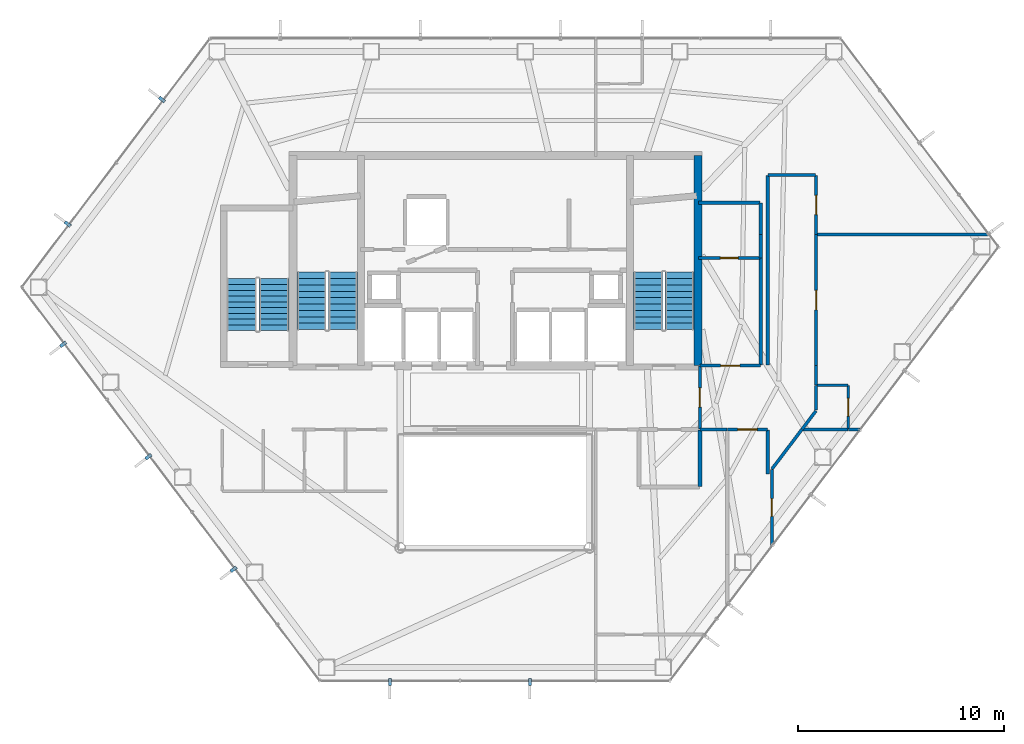
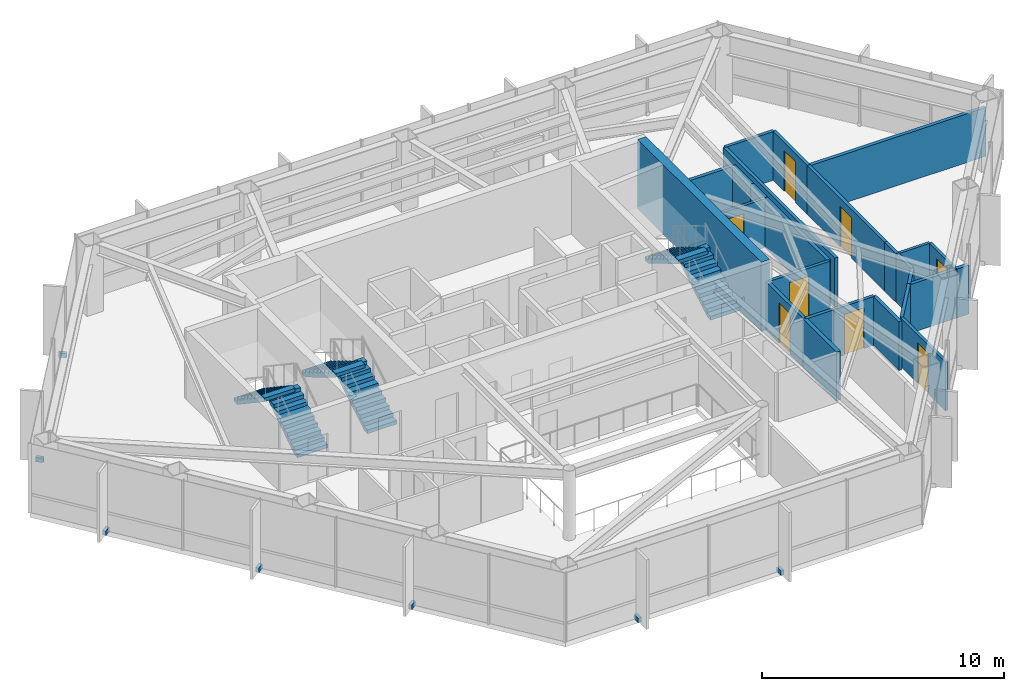
# One storey, part 27 of 29: 26 walls, 8 doors, 7 discrete accessories, 6 stair flights, 8 openings, 3 elements without a shape of their own.
"""IFC4 building model written with IfcOpenShell, lengths in metres."""

from ifc_helpers import new_model, si_unit, direction, frame, frame_2d, origin, origin_2d, place, context, subcontext, project, spatial, polyline, rectangle, outline, extrude, material, layer, layer_set, type_object, element, fill, aggregate, save


model = new_model("IFC4")

# Units and contexts
model_context = context("Model", 3, precision=1e-05, world=origin(), true_north=direction((0.0, 1.0)))
body_context = subcontext(model_context, "Body", "Model", "MODEL_VIEW")
ifc_project = project(units=[si_unit("LENGTHUNIT", "METRE"), si_unit("AREAUNIT", "SQUARE_METRE"), si_unit("VOLUMEUNIT", "CUBIC_METRE"), si_unit("PLANEANGLEUNIT", "RADIAN"), si_unit("MASSUNIT", "GRAM", prefix="KILO")], contexts=[model_context])

# Site, building, storey
site_placement = place(None, origin())
site = spatial("IfcSite", under=ifc_project, at=site_placement, CompositionType="ELEMENT")
building_placement = place(site_placement, origin())
building = spatial("IfcBuilding", under=site, at=building_placement, Name="Zarrinselat Tower", CompositionType="ELEMENT")
storey_placement = place(building_placement, frame((0.0, 0.0, 134.639892578125)))
storey = spatial("IfcBuildingStorey", under=building, at=storey_placement, Name="L32", CompositionType="ELEMENT", Elevation=134.639892578125)

# Walls
ifc_material_1 = material(Name="Fire-Rated Gypsum Board Partition", Category="gypsum")
ifc_layer_1 = layer(ifc_material_1, 0.1650390625)
ifc_layer_set_1 = layer_set([ifc_layer_1], Name="Fire-Rated Gypsum Board Partition")
wall_type_1 = type_object("IfcWallType", Name="WAL-PART-DEMISE", PredefinedType="PARTITIONING", material=ifc_layer_set_1)
wall_1_placement = place(storey_placement, frame((55.562255859375, 30.14990234375, 0.0), z_axis=(0.0, 0.0, 1.0), x_axis=(1.0, 0.0, 0.0)))
element("IfcWall", 1, at=wall_1_placement, inside=storey, type_object=wall_type_1, Name="L32 Partition Wall 51", PredefinedType="PARTITIONING", context=body_context, shape_type="SweptSolid", body=[
    extrude(rectangle(XDim=0.565185546875, YDim=0.1650390625, at=frame_2d((0.28271484375, 0.0))), origin(), (0.0, 0.0, 1.0), 2.45703125),
])
wall_2_placement = place(storey_placement, frame((53.3271484375, 30.14990234375, 0.0), z_axis=(0.0, 0.0, 1.0), x_axis=(1.0, 0.0, 0.0)))
element("IfcWall", 2, at=wall_2_placement, inside=storey, type_object=wall_type_1, Name="L32 Partition Wall 52", PredefinedType="PARTITIONING", context=body_context, shape_type="SweptSolid", body=[
    extrude(rectangle(XDim=2.22509765625, YDim=0.1650390625, at=frame_2d((1.112548828125, 0.0))), origin(), (0.0, 0.0, 1.0), 2.45703125),
])
wall_3_placement = place(storey_placement, frame((54.02001953125, 39.6201171875, 0.0), z_axis=(0.0, 0.0, 1.0), x_axis=(1.0, 0.0, 0.0)))
element("IfcWall", 3, at=wall_3_placement, inside=storey, type_object=wall_type_1, Name="L32 Partition Wall 55", PredefinedType="PARTITIONING", context=body_context, shape_type="SweptSolid", body=[
    extrude(rectangle(XDim=8.37255859375, YDim=0.1650390625, at=frame_2d((4.186279296875, 0.0))), origin(), (0.0, 0.0, 1.0), 2.45703125),
])
wall_4_placement = place(storey_placement, frame((51.300048828125, 33.27001953125, 0.0), z_axis=(0.0, 0.0, 1.0), x_axis=(0.0, 1.0, 0.0)))
element("IfcWall", 4, at=wall_4_placement, inside=storey, type_object=wall_type_1, Name="L32 Partition Wall 58", PredefinedType="PARTITIONING", context=body_context, shape_type="SweptSolid", body=[
    extrude(rectangle(XDim=5.2021484375, YDim=0.1650390625, at=frame_2d((2.60107421875, 0.0))), origin(), (0.0, 0.0, 1.0), 2.45703125),
])
wall_5_placement = place(storey_placement, frame((51.300048828125, 38.482177734375, 0.0), z_axis=(0.0, 0.0, 1.0), x_axis=(0.0, 1.0, 0.0)))
element("IfcWall", 5, at=wall_5_placement, inside=storey, type_object=wall_type_1, Name="L32 Partition Wall 59", PredefinedType="PARTITIONING", context=body_context, shape_type="SweptSolid", body=[
    extrude(rectangle(XDim=1.137939453125, YDim=0.1650390625, at=frame_2d((0.56884765625, 0.0))), origin(), (0.0, 0.0, 1.0), 2.45703125),
])
wall_6_placement = place(storey_placement, frame((51.300048828125, 39.6201171875, 0.0), z_axis=(0.0, 0.0, 1.0), x_axis=(0.0, 1.0, 0.0)))
element("IfcWall", 6, at=wall_6_placement, inside=storey, type_object=wall_type_1, Name="L32 Partition Wall 60", PredefinedType="PARTITIONING", context=body_context, shape_type="SweptSolid", body=[
    extrude(rectangle(XDim=1.52978515625, YDim=0.1650390625, at=frame_2d((0.764892578125, 0.0))), origin(), (0.0, 0.0, 1.0), 2.45703125),
])
wall_7_placement = place(storey_placement, frame((48.27490234375, 41.169921875, 0.0), z_axis=(0.0, 0.0, 1.0), x_axis=(1.0, 0.0, 0.0)))
element("IfcWall", 7, at=wall_7_placement, inside=storey, type_object=wall_type_1, Name="L32 Partition Wall 61", PredefinedType="PARTITIONING", context=body_context, shape_type="SweptSolid", body=[
    extrude(rectangle(XDim=3.005126953125, YDim=0.1650390625, at=frame_2d((1.50244140625, 0.0))), origin(), (0.0, 0.0, 1.0), 2.45703125),
])
ifc_material_2 = material(Name="Concrete C40/50", Category="concrete")
ifc_layer_2 = layer(ifc_material_2, 0.18994140625)
ifc_layer_set_2 = layer_set([ifc_layer_2], Name="Concrete C40/50")
wall_type_2 = type_object("IfcWallType", Name="WAL-PART-EI120", PredefinedType="PARTITIONING", material=ifc_layer_set_2)
wall_8_placement = place(storey_placement, frame((48.35009765625, 27.3701171875, 0.0), z_axis=(0.0, 0.0, 1.0), x_axis=(0.0, 1.0, 0.0)))
element("IfcWall", 8, at=wall_8_placement, inside=storey, type_object=wall_type_2, Name="L32 Partition Wall 21", PredefinedType="PARTITIONING", context=body_context, shape_type="SweptSolid", body=[
    extrude(rectangle(XDim=2.759765625, YDim=0.18994140625, at=frame_2d((1.3798828125, 0.0))), origin(), (0.0, 0.0, 1.0), 2.45703125),
])

# Wall, opening, door
ifc_material_3 = material(Name="Fire-Rated Gypsum Board Partition", Category="gypsum")
ifc_layer_3 = layer(ifc_material_3, 0.14990234375)
ifc_layer_set_3 = layer_set([ifc_layer_3], Name="Fire-Rated Gypsum Board Partition")
wall_type_3 = type_object("IfcWallType", Name="WAL-PART-EI60", PredefinedType="PARTITIONING", material=ifc_layer_set_3)
wall_9_placement = place(storey_placement, frame((48.35009765625, 30.169921875, 0.0), z_axis=(0.0, 0.0, 1.0), x_axis=(0.0, 1.0, 0.0)))
wall_9 = element("IfcWall", 9, at=wall_9_placement, inside=storey, type_object=wall_type_3, Name="L32 Partition Wall 13", PredefinedType="PARTITIONING", context=body_context, shape_type="SweptSolid", body=[
    extrude(rectangle(XDim=3.06005859375, YDim=0.14990234375, at=frame_2d((1.530029296875, 0.0))), origin(), (0.0, 0.0, 1.0), 2.45703125),
])
opening_1_placement = place(wall_9_placement, frame((1.06005859375, 0.0, 0.0)))
opening_1 = element("IfcOpeningElement", 10, at=opening_1_placement, cuts=wall_9, Name="Opening ID-04", PredefinedType="OPENING", context=body_context, shape_type="SweptSolid", body=[
    extrude(rectangle(XDim=0.93994140625, YDim=2.050048828125, at=frame_2d((0.469970703125, 1.02490234375))), frame((0.0, 0.0849609375, 0.0), z_axis=(0.0, -1.0, 0.0), x_axis=(1.0, 0.0, 0.0)), (0.0, 0.0, 1.0), 0.169921875),
])
ifc_material_4 = material(Name="Fire-Rated Gypsum Board Partition")
door_type_1 = type_object("IfcDoorType", Name="DR-INT-FD30-ENT", OperationType="NOTDEFINED", PredefinedType="DOOR", material=ifc_material_4)
door_1_placement = place(opening_1_placement, origin())
door_1 = element("IfcDoor", 11, at=door_1_placement, inside=storey, type_object=door_type_1, Name="L32 Interior Door P13", OperationType="SINGLE_SWING_LEFT", OverallHeight=2.050048828125, OverallWidth=0.93994140625, PredefinedType="DOOR", context=body_context, shape_type="SweptSolid", body=[
    extrude(rectangle(XDim=0.93994140625, YDim=2.050048828125, at=frame_2d((0.469970703125, 1.02490234375))), frame((0.0, 0.02490234375, 0.0), z_axis=(0.0, -1.0, 0.0), x_axis=(1.0, 0.0, 0.0)), (0.0, 0.0, 1.0), 0.050048828125),
])
fill(opening_1, door_1)

# Walls
wall_10_placement = place(storey_placement, frame((48.3701171875, 30.14990234375, 0.0), z_axis=(0.0, 0.0, 1.0), x_axis=(1.0, 0.0, 0.0)))
element("IfcWall", 12, at=wall_10_placement, inside=storey, type_object=wall_type_3, Name="L32 Partition Wall 22", PredefinedType="PARTITIONING", context=body_context, shape_type="SweptSolid", body=[
    extrude(rectangle(XDim=1.30859375, YDim=0.14990234375, at=frame_2d((0.654296875, 0.0))), origin(), (0.0, 0.0, 1.0), 2.45703125),
])
wall_11_placement = place(storey_placement, frame((51.64990234375, 27.982421875, 0.0), z_axis=(0.0, 0.0, 1.0), x_axis=(0.0, 1.0, 0.0)))
element("IfcWall", 13, at=wall_11_placement, inside=storey, type_object=wall_type_3, Name="L32 Partition Wall 23", PredefinedType="PARTITIONING", context=body_context, shape_type="SweptSolid", body=[
    extrude(rectangle(XDim=2.1474609375, YDim=0.14990234375, at=frame_2d((1.07373046875, 0.0))), origin(), (0.0, 0.0, 1.0), 2.45703125),
])

# Wall, opening, door
wall_12_placement = place(storey_placement, frame((49.688720703125, 30.14990234375, 0.0), z_axis=(0.0, 0.0, 1.0), x_axis=(1.0, 0.0, 0.0)))
wall_12 = element("IfcWall", 14, at=wall_12_placement, inside=storey, type_object=wall_type_3, Name="L32 Partition Wall 24", PredefinedType="PARTITIONING", context=body_context, shape_type="SweptSolid", body=[
    extrude(rectangle(XDim=1.941162109375, YDim=0.14990234375, at=frame_2d((0.970703125, 0.0))), origin(), (0.0, 0.0, 1.0), 2.45703125),
])
opening_2_placement = place(wall_12_placement, frame((0.500732421875, 0.0, 0.0)))
opening_2 = element("IfcOpeningElement", 15, at=opening_2_placement, cuts=wall_12, Name="Opening ID-04", PredefinedType="OPENING", context=body_context, shape_type="SweptSolid", body=[
    extrude(rectangle(XDim=0.93994140625, YDim=2.050048828125, at=frame_2d((0.469970703125, 1.02490234375))), frame((0.0, 0.0849609375, 0.0), z_axis=(0.0, -1.0, 0.0), x_axis=(1.0, 0.0, 0.0)), (0.0, 0.0, 1.0), 0.169921875),
])
door_2_placement = place(opening_2_placement, origin())
door_2 = element("IfcDoor", 16, at=door_2_placement, inside=storey, type_object=door_type_1, Name="L32 Interior Door P24", OperationType="SINGLE_SWING_RIGHT", OverallHeight=2.050048828125, OverallWidth=0.93994140625, PredefinedType="DOOR", context=body_context, shape_type="SweptSolid", body=[
    extrude(rectangle(XDim=0.93994140625, YDim=2.050048828125, at=frame_2d((0.469970703125, 1.02490234375))), frame((0.0, 0.02490234375, 0.0), z_axis=(0.0, -1.0, 0.0), x_axis=(1.0, 0.0, 0.0)), (0.0, 0.0, 1.0), 0.050048828125),
])
fill(opening_2, door_2)

# Wall
wall_13_placement = place(storey_placement, frame((51.85107421875, 28.227783203125, 0.0), z_axis=(0.0, 0.0, 1.0), x_axis=(0.60378553019, 0.797146808018, 0.0)))
element("IfcWall", 17, at=wall_13_placement, inside=storey, type_object=wall_type_3, Name="L32 Partition Wall 25", PredefinedType="PARTITIONING", context=body_context, shape_type="SweptSolid", body=[
    extrude(rectangle(XDim=2.410400390625, YDim=0.14990234375, at=frame_2d((1.205078125, 0.0))), origin(), (0.0, 0.0, 1.0), 2.45703125),
])

# Wall, opening, door
wall_14_placement = place(storey_placement, frame((54.0, 33.25, 0.0), z_axis=(0.0, 0.0, 1.0), x_axis=(0.0, 1.0, 0.0)))
wall_14 = element("IfcWall", 18, at=wall_14_placement, inside=storey, type_object=wall_type_3, Name="L32 Partition Wall 26", PredefinedType="PARTITIONING", context=body_context, shape_type="SweptSolid", body=[
    extrude(rectangle(XDim=6.364990234375, YDim=0.14990234375, at=frame_2d((3.1826171875, 0.0))), origin(), (0.0, 0.0, 1.0), 2.45703125),
])
opening_3_placement = place(wall_14_placement, frame((2.71240234375, 0.0, 0.0)))
opening_3 = element("IfcOpeningElement", 19, at=opening_3_placement, cuts=wall_14, Name="Opening ID-04", PredefinedType="OPENING", context=body_context, shape_type="SweptSolid", body=[
    extrude(rectangle(XDim=0.93994140625, YDim=2.050048828125, at=frame_2d((0.469970703125, 1.02490234375))), frame((0.0, 0.0849609375, 0.0), z_axis=(0.0, -1.0, 0.0), x_axis=(1.0, 0.0, 0.0)), (0.0, 0.0, 1.0), 0.169921875),
])
door_3_placement = place(opening_3_placement, origin())
door_3 = element("IfcDoor", 20, at=door_3_placement, inside=storey, type_object=door_type_1, Name="L32 Interior Door P26", OperationType="SINGLE_SWING_LEFT", OverallHeight=2.050048828125, OverallWidth=0.93994140625, PredefinedType="DOOR", context=body_context, shape_type="SweptSolid", body=[
    extrude(rectangle(XDim=0.93994140625, YDim=2.050048828125, at=frame_2d((0.469970703125, 1.02490234375))), frame((0.0, 0.02490234375, 0.0), z_axis=(0.0, -1.0, 0.0), x_axis=(1.0, 0.0, 0.0)), (0.0, 0.0, 1.0), 0.050048828125),
])
fill(opening_3, door_3)

# Walls
wall_15_placement = place(storey_placement, frame((54.0, 32.304931640625, 0.0), z_axis=(0.0, 0.0, 1.0), x_axis=(0.0, 1.0, 0.0)))
element("IfcWall", 21, at=wall_15_placement, inside=storey, type_object=wall_type_3, Name="L32 Partition Wall 27", PredefinedType="PARTITIONING", context=body_context, shape_type="SweptSolid", body=[
    extrude(rectangle(XDim=0.945068359375, YDim=0.14990234375, at=frame_2d((0.47265625, 0.0))), origin(), (0.0, 0.0, 1.0), 2.45703125),
])
wall_16_placement = place(storey_placement, frame((54.0, 31.084716796875, 0.0), z_axis=(0.0, 0.0, 1.0), x_axis=(0.0, 1.0, 0.0)))
element("IfcWall", 22, at=wall_16_placement, inside=storey, type_object=wall_type_3, Name="L32 Partition Wall 28", PredefinedType="PARTITIONING", context=body_context, shape_type="SweptSolid", body=[
    extrude(rectangle(XDim=1.210205078125, YDim=0.14990234375, at=frame_2d((0.60498046875, 0.0))), origin(), (0.0, 0.0, 1.0), 2.45703125),
])
wall_17_placement = place(storey_placement, frame((53.310302734375, 30.154052734375, 0.0), z_axis=(0.0, 0.0, 1.0), x_axis=(0.603752960425, 0.797171476395, 0.0)))
element("IfcWall", 23, at=wall_17_placement, inside=storey, type_object=wall_type_3, Name="L32 Partition Wall 29", PredefinedType="PARTITIONING", context=body_context, shape_type="SweptSolid", body=[
    extrude(rectangle(XDim=1.1220703125, YDim=0.14990234375, at=frame_2d((0.56103515625, 0.0))), origin(), (0.0, 0.0, 1.0), 2.45703125),
])
wall_18_placement = place(storey_placement, frame((51.64990234375, 33.27001953125, 0.0), z_axis=(0.0, 0.0, 1.0), x_axis=(0.0, 1.0, 0.0)))
element("IfcWall", 24, at=wall_18_placement, inside=storey, type_object=wall_type_3, Name="L32 Partition Wall 30", PredefinedType="PARTITIONING", context=body_context, shape_type="SweptSolid", body=[
    extrude(rectangle(XDim=9.2099609375, YDim=0.14990234375, at=frame_2d((4.60498046875, 0.0))), origin(), (0.0, 0.0, 1.0), 2.45703125),
])
wall_19_placement = place(storey_placement, frame((51.669921875, 42.5, 0.0), z_axis=(0.0, 0.0, 1.0), x_axis=(1.0, 0.0, 0.0)))
element("IfcWall", 25, at=wall_19_placement, inside=storey, type_object=wall_type_3, Name="L32 Partition Wall 31", PredefinedType="PARTITIONING", context=body_context, shape_type="SweptSolid", body=[
    extrude(rectangle(XDim=2.31005859375, YDim=0.14990234375, at=frame_2d((1.155029296875, 0.0))), origin(), (0.0, 0.0, 1.0), 2.45703125),
])

# Wall, opening, door
wall_20_placement = place(storey_placement, frame((54.0, 39.625, 0.0), z_axis=(0.0, 0.0, 1.0), x_axis=(0.0, 1.0, 0.0)))
wall_20 = element("IfcWall", 26, at=wall_20_placement, inside=storey, type_object=wall_type_3, Name="L32 Partition Wall 32", PredefinedType="PARTITIONING", context=body_context, shape_type="SweptSolid", body=[
    extrude(rectangle(XDim=2.85498046875, YDim=0.14990234375, at=frame_2d((1.427490234375, 0.0))), origin(), (0.0, 0.0, 1.0), 2.45703125),
])
opening_4_placement = place(wall_20_placement, frame((0.95751953125, 0.0, 0.0)))
opening_4 = element("IfcOpeningElement", 27, at=opening_4_placement, cuts=wall_20, Name="Opening ID-04", PredefinedType="OPENING", context=body_context, shape_type="SweptSolid", body=[
    extrude(rectangle(XDim=0.93994140625, YDim=2.050048828125, at=frame_2d((0.469970703125, 1.02490234375))), frame((0.0, 0.0849609375, 0.0), z_axis=(0.0, -1.0, 0.0), x_axis=(1.0, 0.0, 0.0)), (0.0, 0.0, 1.0), 0.169921875),
])
door_4_placement = place(opening_4_placement, origin())
door_4 = element("IfcDoor", 28, at=door_4_placement, inside=storey, type_object=door_type_1, Name="L32 Interior Door P32", OperationType="SINGLE_SWING_RIGHT", OverallHeight=2.050048828125, OverallWidth=0.93994140625, PredefinedType="DOOR", context=body_context, shape_type="SweptSolid", body=[
    extrude(rectangle(XDim=0.93994140625, YDim=2.050048828125, at=frame_2d((0.469970703125, 1.02490234375))), frame((0.0, 0.02490234375, 0.0), z_axis=(0.0, -1.0, 0.0), x_axis=(1.0, 0.0, 0.0)), (0.0, 0.0, 1.0), 0.050048828125),
])
fill(opening_4, door_4)

wall_21_placement = place(storey_placement, frame((48.364990234375, 33.25, 0.0), z_axis=(0.0, 0.0, 1.0), x_axis=(1.0, 0.0, 0.0)))
wall_21 = element("IfcWall", 29, at=wall_21_placement, inside=storey, type_object=wall_type_3, Name="L32 Partition Wall 33", PredefinedType="PARTITIONING", context=body_context, shape_type="SweptSolid", body=[
    extrude(rectangle(XDim=2.929931640625, YDim=0.14990234375, at=frame_2d((1.46484375, 0.0))), origin(), (0.0, 0.0, 1.0), 2.45703125),
])
opening_5_placement = place(wall_21_placement, frame((0.9951171875, 0.0, 0.0)))
opening_5 = element("IfcOpeningElement", 30, at=opening_5_placement, cuts=wall_21, Name="Opening ID-04", PredefinedType="OPENING", context=body_context, shape_type="SweptSolid", body=[
    extrude(rectangle(XDim=0.93994140625, YDim=2.050048828125, at=frame_2d((0.469970703125, 1.02490234375))), frame((0.0, 0.0849609375, 0.0), z_axis=(0.0, -1.0, 0.0), x_axis=(1.0, 0.0, 0.0)), (0.0, 0.0, 1.0), 0.169921875),
])
door_5_placement = place(opening_5_placement, origin())
door_5 = element("IfcDoor", 31, at=door_5_placement, inside=storey, type_object=door_type_1, Name="L32 Interior Door P33", OperationType="SINGLE_SWING_LEFT", OverallHeight=2.050048828125, OverallWidth=0.93994140625, PredefinedType="DOOR", context=body_context, shape_type="SweptSolid", body=[
    extrude(rectangle(XDim=0.93994140625, YDim=2.050048828125, at=frame_2d((0.469970703125, 1.02490234375))), frame((0.0, 0.02490234375, 0.0), z_axis=(0.0, -1.0, 0.0), x_axis=(1.0, 0.0, 0.0)), (0.0, 0.0, 1.0), 0.050048828125),
])
fill(opening_5, door_5)

ifc_material_5 = material(Name="Fire-Rated Gypsum Board Partition", Category="gypsum")
ifc_layer_4 = layer(ifc_material_5, 0.135009765625)
ifc_layer_set_4 = layer_set([ifc_layer_4], Name="Fire-Rated Gypsum Board Partition")
wall_type_4 = type_object("IfcWallType", Name="WAL-PART-WET", PredefinedType="PARTITIONING", material=ifc_layer_set_4)
wall_22_placement = place(storey_placement, frame((51.85400390625, 24.504150390625, 0.0), z_axis=(0.0, 0.0, 1.0), x_axis=(0.0, 1.0, 0.0)))
wall_22 = element("IfcWall", 32, at=wall_22_placement, inside=storey, type_object=wall_type_4, Name="L32 Partition Wall 50", PredefinedType="PARTITIONING", context=body_context, shape_type="SweptSolid", body=[
    extrude(rectangle(XDim=3.707763671875, YDim=0.135009765625, at=frame_2d((1.85400390625, 0.0))), origin(), (0.0, 0.0, 1.0), 2.45703125),
])
opening_6_placement = place(wall_22_placement, frame((1.423828125, 0.0, 0.0)))
opening_6 = element("IfcOpeningElement", 33, at=opening_6_placement, cuts=wall_22, Name="Opening ID-06", PredefinedType="OPENING", context=body_context, shape_type="SweptSolid", body=[
    extrude(rectangle(XDim=0.860107421875, YDim=2.050048828125, at=frame_2d((0.43017578125, 1.02490234375))), frame((0.0, 0.077392578125, 0.0), z_axis=(0.0, -1.0, 0.0), x_axis=(1.0, 0.0, 0.0)), (0.0, 0.0, 1.0), 0.155029296875),
])
ifc_material_6 = material(Name="Extruded Aluminium Alloy EN AW-6063 T6", Category="aluminium")
door_type_2 = type_object("IfcDoorType", Name="DR-INT-WET-900", OperationType="NOTDEFINED", PredefinedType="DOOR", material=ifc_material_6)
door_6_placement = place(opening_6_placement, origin())
door_6 = element("IfcDoor", 34, at=door_6_placement, inside=storey, type_object=door_type_2, Name="L32 Interior Door P50", OperationType="SINGLE_SWING_LEFT", OverallHeight=2.050048828125, OverallWidth=0.860107421875, PredefinedType="DOOR", context=body_context, shape_type="SweptSolid", body=[
    extrude(rectangle(XDim=0.860107421875, YDim=2.050048828125, at=frame_2d((0.43017578125, 1.02490234375))), frame((0.0, 0.02490234375, 0.0), z_axis=(0.0, -1.0, 0.0), x_axis=(1.0, 0.0, 0.0)), (0.0, 0.0, 1.0), 0.050048828125),
])
fill(opening_6, door_6)

wall_23_placement = place(storey_placement, frame((55.55712890625, 30.169921875, 0.0), z_axis=(0.0, 0.0, 1.0), x_axis=(0.0, 1.0, 0.0)))
wall_23 = element("IfcWall", 35, at=wall_23_placement, inside=storey, type_object=wall_type_4, Name="L32 Partition Wall 53", PredefinedType="PARTITIONING", context=body_context, shape_type="SweptSolid", body=[
    extrude(rectangle(XDim=2.110107421875, YDim=0.135009765625, at=frame_2d((1.05517578125, 0.0))), origin(), (0.0, 0.0, 1.0), 2.45703125),
])
opening_7_placement = place(wall_23_placement, frame((0.625, 0.0, 0.0)))
opening_7 = element("IfcOpeningElement", 36, at=opening_7_placement, cuts=wall_23, Name="Opening ID-06", PredefinedType="OPENING", context=body_context, shape_type="SweptSolid", body=[
    extrude(rectangle(XDim=0.860107421875, YDim=2.050048828125, at=frame_2d((0.43017578125, 1.02490234375))), frame((0.0, 0.077392578125, 0.0), z_axis=(0.0, -1.0, 0.0), x_axis=(1.0, 0.0, 0.0)), (0.0, 0.0, 1.0), 0.155029296875),
])
door_7_placement = place(opening_7_placement, origin())
door_7 = element("IfcDoor", 37, at=door_7_placement, inside=storey, type_object=door_type_2, Name="L32 Interior Door P53", OperationType="SINGLE_SWING_RIGHT", OverallHeight=2.050048828125, OverallWidth=0.860107421875, PredefinedType="DOOR", context=body_context, shape_type="SweptSolid", body=[
    extrude(rectangle(XDim=0.860107421875, YDim=2.050048828125, at=frame_2d((0.43017578125, 1.02490234375))), frame((0.0, 0.02490234375, 0.0), z_axis=(0.0, -1.0, 0.0), x_axis=(1.0, 0.0, 0.0)), (0.0, 0.0, 1.0), 0.050048828125),
])
fill(opening_7, door_7)

# Wall
wall_24_placement = place(storey_placement, frame((54.02001953125, 32.300048828125, 0.0), z_axis=(0.0, 0.0, 1.0), x_axis=(1.0, 0.0, 0.0)))
element("IfcWall", 38, at=wall_24_placement, inside=storey, type_object=wall_type_4, Name="L32 Partition Wall 54", PredefinedType="PARTITIONING", context=body_context, shape_type="SweptSolid", body=[
    extrude(rectangle(XDim=1.51708984375, YDim=0.135009765625, at=frame_2d((0.758544921875, 0.0))), origin(), (0.0, 0.0, 1.0), 2.45703125),
])

# Wall, opening, door
wall_25_placement = place(storey_placement, frame((48.27490234375, 38.477294921875, 0.0), z_axis=(0.0, 0.0, 1.0), x_axis=(1.0, 0.0, 0.0)))
wall_25 = element("IfcWall", 39, at=wall_25_placement, inside=storey, type_object=wall_type_4, Name="L32 Partition Wall 62", PredefinedType="PARTITIONING", context=body_context, shape_type="SweptSolid", body=[
    extrude(rectangle(XDim=3.005126953125, YDim=0.135009765625, at=frame_2d((1.50244140625, 0.0))), origin(), (0.0, 0.0, 1.0), 2.45703125),
])
opening_8_placement = place(wall_25_placement, frame((1.072509765625, 0.0, 0.0)))
opening_8 = element("IfcOpeningElement", 40, at=opening_8_placement, cuts=wall_25, Name="Opening ID-06", PredefinedType="OPENING", context=body_context, shape_type="SweptSolid", body=[
    extrude(rectangle(XDim=0.860107421875, YDim=2.050048828125, at=frame_2d((0.43017578125, 1.02490234375))), frame((0.0, 0.077392578125, 0.0), z_axis=(0.0, -1.0, 0.0), x_axis=(1.0, 0.0, 0.0)), (0.0, 0.0, 1.0), 0.155029296875),
])
door_8_placement = place(opening_8_placement, origin())
door_8 = element("IfcDoor", 41, at=door_8_placement, inside=storey, type_object=door_type_2, Name="L32 Interior Door P62", OperationType="SINGLE_SWING_RIGHT", OverallHeight=2.050048828125, OverallWidth=0.860107421875, PredefinedType="DOOR", context=body_context, shape_type="SweptSolid", body=[
    extrude(rectangle(XDim=0.860107421875, YDim=2.050048828125, at=frame_2d((0.43017578125, 1.02490234375))), frame((0.0, 0.02490234375, 0.0), z_axis=(0.0, -1.0, 0.0), x_axis=(1.0, 0.0, 0.0)), (0.0, 0.0, 1.0), 0.050048828125),
])
fill(opening_8, door_8)

# Wall
ifc_material_7 = material(Name="Concrete C60/75", Category="concrete")
ifc_layer_5 = layer(ifc_material_7, 0.39990234375)
ifc_layer_set_5 = layer_set([ifc_layer_5], Name="Concrete C60/75")
wall_type_5 = type_object("IfcWallType", Name="WAL-SHEAR-400", PredefinedType="SHEAR", material=ifc_layer_set_5)
wall_26_placement = place(storey_placement, frame((48.260009765625, 33.25, 0.0), z_axis=(0.0, 0.0, 1.0), x_axis=(0.0, 1.0, 0.0)))
element("IfcWall", 42, at=wall_26_placement, inside=storey, type_object=wall_type_5, Name="L32 Core Shear Wall E", PredefinedType="SHEAR", context=body_context, shape_type="SweptSolid", body=[
    extrude(rectangle(XDim=10.199951171875, YDim=0.39990234375, at=frame_2d((5.10009765625, 0.0))), origin(), (0.0, 0.0, 1.0), 3.5),
])

# Stair, stair flights
ifc_material_8 = material(Name="Concrete C40/50", Category="concrete")
stair_type_1 = type_object("IfcStairType", Name="STR-CORE-145", PredefinedType="HALF_TURN_STAIR", material=ifc_material_8)
stair_1_placement = place(storey_placement, origin())
stair_1 = element("IfcStair", 43, at=stair_1_placement, inside=storey, type_object=stair_type_1, Name="L32 Podium & Mid-Tower Exit Stair 3", PredefinedType="HALF_TURN_STAIR")
ifc_material_9 = material(Name="Concrete C40/50", Category="concrete")
stair_flight_type_1 = type_object("IfcStairFlightType", Name="STR-FLT-145", PredefinedType="STRAIGHT", material=ifc_material_9)
stair_flight_1_placement = place(storey_placement, frame((27.675048828125, 34.949951171875, 0.0), z_axis=(0.0, 0.0, 1.0), x_axis=(0.0, 1.0, 0.0)))
stair_flight_1 = element("IfcStairFlight", 44, at=stair_flight_1_placement, type_object=stair_flight_type_1, Name="ST-3 flight 1", NumberOfRisers=10, NumberOfTreads=9, PredefinedType="STRAIGHT", RiserHeight=0.187, TreadLength=0.28, context=body_context, shape_type="SweptSolid", body=[
    extrude(outline(polyline([(0.0, 0.0), (0.0, 0.18701171875), (0.280029296875, 0.18701171875), (0.280029296875, 0.3740234375), (0.56005859375, 0.3740234375), (0.56005859375, 0.56103515625), (0.840087890625, 0.56103515625), (0.840087890625, 0.748046875), (1.1201171875, 0.748046875), (1.1201171875, 0.93505859375), (1.39990234375, 0.93505859375), (1.39990234375, 1.1220703125), (1.679931640625, 1.1220703125), (1.679931640625, 1.30908203125), (1.9599609375, 1.30908203125), (1.9599609375, 1.49609375), (2.239990234375, 1.49609375), (2.239990234375, 1.68310546875), (2.52001953125, 1.68310546875), (2.52001953125, 1.8701171875), (2.52001953125, 1.502685546875), (0.27001953125, 0.0), (0.0, 0.0)])), frame((0.0, 0.72509765625, 0.0), z_axis=(0.0, -1.0, 0.0), x_axis=(1.0, 0.0, 0.0)), (0.0, 0.0, 1.0), 1.449951171875),
])
stair_flight_2_placement = place(storey_placement, frame((26.10498046875, 37.469970703125, 1.8701171875), z_axis=(0.0, 0.0, 1.0), x_axis=(0.0, -1.0, 0.0)))
stair_flight_2 = element("IfcStairFlight", 45, at=stair_flight_2_placement, type_object=stair_flight_type_1, Name="ST-3 flight 2", NumberOfRisers=10, NumberOfTreads=9, PredefinedType="STRAIGHT", RiserHeight=0.187, TreadLength=0.28, context=body_context, shape_type="SweptSolid", body=[
    extrude(outline(polyline([(0.0, 0.0), (0.0, 0.18701171875), (0.280029296875, 0.18701171875), (0.280029296875, 0.3740234375), (0.56005859375, 0.3740234375), (0.56005859375, 0.56103515625), (0.840087890625, 0.56103515625), (0.840087890625, 0.748046875), (1.1201171875, 0.748046875), (1.1201171875, 0.93505859375), (1.39990234375, 0.93505859375), (1.39990234375, 1.1220703125), (1.679931640625, 1.1220703125), (1.679931640625, 1.30908203125), (1.9599609375, 1.30908203125), (1.9599609375, 1.49609375), (2.239990234375, 1.49609375), (2.239990234375, 1.68310546875), (2.52001953125, 1.68310546875), (2.52001953125, 1.8701171875), (2.52001953125, 1.502685546875), (0.27001953125, 0.0), (0.0, 0.0)])), frame((0.0, 0.72509765625, 0.0), z_axis=(0.0, -1.0, 0.0), x_axis=(1.0, 0.0, 0.0)), (0.0, 0.0, 1.0), 1.449951171875),
])
aggregate(stair_1, [stair_flight_1, stair_flight_2])

ifc_material_10 = material(Name="Concrete C40/50", Category="concrete")
stair_type_2 = type_object("IfcStairType", Name="STR-CORE-155", PredefinedType="HALF_TURN_STAIR", material=ifc_material_10)
stair_2_placement = place(storey_placement, origin())
stair_2 = element("IfcStair", 46, at=stair_2_placement, inside=storey, type_object=stair_type_2, Name="L32 Core Exit Stair 1", PredefinedType="HALF_TURN_STAIR")
ifc_material_11 = material(Name="Concrete C40/50", Category="concrete")
stair_flight_type_2 = type_object("IfcStairFlightType", Name="STR-FLT-155", PredefinedType="STRAIGHT", material=ifc_material_11)
stair_flight_3_placement = place(storey_placement, frame((31.02001953125, 35.0, 0.0), z_axis=(0.0, 0.0, 1.0), x_axis=(0.0, 1.0, 0.0)))
stair_flight_3 = element("IfcStairFlight", 47, at=stair_flight_3_placement, type_object=stair_flight_type_2, Name="ST-1 flight 1", NumberOfRisers=10, NumberOfTreads=9, PredefinedType="STRAIGHT", RiserHeight=0.187, TreadLength=0.31, context=body_context, shape_type="SweptSolid", body=[
    extrude(outline(polyline([(0.0, 0.0), (0.0, 0.18701171875), (0.31005859375, 0.18701171875), (0.31005859375, 0.3740234375), (0.6201171875, 0.3740234375), (0.6201171875, 0.56103515625), (0.929931640625, 0.56103515625), (0.929931640625, 0.748046875), (1.239990234375, 0.748046875), (1.239990234375, 0.93505859375), (1.550048828125, 0.93505859375), (1.550048828125, 1.1220703125), (1.860107421875, 1.1220703125), (1.860107421875, 1.30908203125), (2.169921875, 1.30908203125), (2.169921875, 1.49609375), (2.47998046875, 1.49609375), (2.47998046875, 1.68310546875), (2.7900390625, 1.68310546875), (2.7900390625, 1.8701171875), (2.7900390625, 1.508056640625), (0.290283203125, 0.0), (0.0, 0.0)])), frame((0.0, 0.699951171875, 0.0), z_axis=(0.0, -1.0, 0.0), x_axis=(1.0, 0.0, 0.0)), (0.0, 0.0, 1.0), 1.39990234375),
])
stair_flight_4_placement = place(storey_placement, frame((29.5, 37.7900390625, 1.8701171875), z_axis=(0.0, 0.0, 1.0), x_axis=(0.0, -1.0, 0.0)))
stair_flight_4 = element("IfcStairFlight", 48, at=stair_flight_4_placement, type_object=stair_flight_type_2, Name="ST-1 flight 2", NumberOfRisers=10, NumberOfTreads=9, PredefinedType="STRAIGHT", RiserHeight=0.187, TreadLength=0.31, context=body_context, shape_type="SweptSolid", body=[
    extrude(outline(polyline([(0.0, 0.0), (0.0, 0.18701171875), (0.31005859375, 0.18701171875), (0.31005859375, 0.3740234375), (0.6201171875, 0.3740234375), (0.6201171875, 0.56103515625), (0.929931640625, 0.56103515625), (0.929931640625, 0.748046875), (1.239990234375, 0.748046875), (1.239990234375, 0.93505859375), (1.550048828125, 0.93505859375), (1.550048828125, 1.1220703125), (1.860107421875, 1.1220703125), (1.860107421875, 1.30908203125), (2.169921875, 1.30908203125), (2.169921875, 1.49609375), (2.47998046875, 1.49609375), (2.47998046875, 1.68310546875), (2.7900390625, 1.68310546875), (2.7900390625, 1.8701171875), (2.7900390625, 1.508056640625), (0.290283203125, 0.0), (0.0, 0.0)])), frame((0.0, 0.699951171875, 0.0), z_axis=(0.0, -1.0, 0.0), x_axis=(1.0, 0.0, 0.0)), (0.0, 0.0, 1.0), 1.39990234375),
])
aggregate(stair_2, [stair_flight_3, stair_flight_4])

stair_3_placement = place(storey_placement, origin())
stair_3 = element("IfcStair", 49, at=stair_3_placement, inside=storey, type_object=stair_type_2, Name="L32 Core Exit Stair 2", PredefinedType="HALF_TURN_STAIR")
stair_flight_5_placement = place(storey_placement, frame((47.360107421875, 35.0, 0.0), z_axis=(0.0, 0.0, 1.0), x_axis=(0.0, 1.0, 0.0)))
stair_flight_5 = element("IfcStairFlight", 50, at=stair_flight_5_placement, type_object=stair_flight_type_2, Name="ST-2 flight 1", NumberOfRisers=10, NumberOfTreads=9, PredefinedType="STRAIGHT", RiserHeight=0.187, TreadLength=0.31, context=body_context, shape_type="SweptSolid", body=[
    extrude(outline(polyline([(0.0, 0.0), (0.0, 0.18701171875), (0.31005859375, 0.18701171875), (0.31005859375, 0.3740234375), (0.6201171875, 0.3740234375), (0.6201171875, 0.56103515625), (0.929931640625, 0.56103515625), (0.929931640625, 0.748046875), (1.239990234375, 0.748046875), (1.239990234375, 0.93505859375), (1.550048828125, 0.93505859375), (1.550048828125, 1.1220703125), (1.860107421875, 1.1220703125), (1.860107421875, 1.30908203125), (2.169921875, 1.30908203125), (2.169921875, 1.49609375), (2.47998046875, 1.49609375), (2.47998046875, 1.68310546875), (2.7900390625, 1.68310546875), (2.7900390625, 1.8701171875), (2.7900390625, 1.508056640625), (0.290283203125, 0.0), (0.0, 0.0)])), frame((0.0, 0.699951171875, 0.0), z_axis=(0.0, -1.0, 0.0), x_axis=(1.0, 0.0, 0.0)), (0.0, 0.0, 1.0), 1.39990234375),
])
stair_flight_6_placement = place(storey_placement, frame((45.840087890625, 37.7900390625, 1.8701171875), z_axis=(0.0, 0.0, 1.0), x_axis=(0.0, -1.0, 0.0)))
stair_flight_6 = element("IfcStairFlight", 51, at=stair_flight_6_placement, type_object=stair_flight_type_2, Name="ST-2 flight 2", NumberOfRisers=10, NumberOfTreads=9, PredefinedType="STRAIGHT", RiserHeight=0.187, TreadLength=0.31, context=body_context, shape_type="SweptSolid", body=[
    extrude(outline(polyline([(0.0, 0.0), (0.0, 0.18701171875), (0.31005859375, 0.18701171875), (0.31005859375, 0.3740234375), (0.6201171875, 0.3740234375), (0.6201171875, 0.56103515625), (0.929931640625, 0.56103515625), (0.929931640625, 0.748046875), (1.239990234375, 0.748046875), (1.239990234375, 0.93505859375), (1.550048828125, 0.93505859375), (1.550048828125, 1.1220703125), (1.860107421875, 1.1220703125), (1.860107421875, 1.30908203125), (2.169921875, 1.30908203125), (2.169921875, 1.49609375), (2.47998046875, 1.49609375), (2.47998046875, 1.68310546875), (2.7900390625, 1.68310546875), (2.7900390625, 1.8701171875), (2.7900390625, 1.508056640625), (0.290283203125, 0.0), (0.0, 0.0)])), frame((0.0, 0.699951171875, 0.0), z_axis=(0.0, -1.0, 0.0), x_axis=(1.0, 0.0, 0.0)), (0.0, 0.0, 1.0), 1.39990234375),
])
aggregate(stair_3, [stair_flight_5, stair_flight_6])

# Discrete accessories
ifc_material_12 = material(Name="Steel S355J2", Category="steel")
discrete_accessory_type = type_object("IfcDiscreteAccessoryType", Name="ACC-FIN-BRACKET", PredefinedType="BRACKET", material=ifc_material_12)
for number, where, z_axis, x_axis, name in (
    (52, (22.23583984375, 46.169921875, -0.0498046875), (0.0, 0.0, 1.0), (-0.797090994162, 0.603859211262, 0.0), "L32 Fin Fixing Bracket CW-L32-E02-01"),
    (53, (17.656494140625, 40.125, -0.0498046875), (0.0, 0.0, 1.0), (-0.797090994162, 0.603859211262, 0.0), "L32 Fin Fixing Bracket CW-L32-E02-03"),
    (54, (17.435302734375, 34.287353515625, -0.0498046875), (0.0, 0.0, 1.0), (-0.797093790407, -0.603855520216, 0.0), "L32 Fin Fixing Bracket CW-L32-E03-01"),
    (55, (21.57275390625, 28.826171875, -0.0498046875), (0.0, 0.0, 1.0), (-0.797093790407, -0.603855520216, 0.0), "L32 Fin Fixing Bracket CW-L32-E03-03"),
    (56, (25.7099609375, 23.36474609375, -0.0498046875), (0.0, 0.0, 1.0), (-0.797093790407, -0.603855520216, 0.0), "L32 Fin Fixing Bracket CW-L32-E03-05"),
    (57, (33.302001953125, 17.875732421875, -0.0498046875), (0.0, 0.0, 1.0), (0.0, -1.0, 0.0), "L32 Fin Fixing Bracket CW-L32-E04-01"),
    (58, (40.099365234375, 17.875732421875, -0.0498046875), (0.0, 0.0, 1.0), (0.0, -1.0, 0.0), "L32 Fin Fixing Bracket CW-L32-E04-03"),
):
    element("IfcDiscreteAccessory", number, at=place(storey_placement, frame(where, z_axis=z_axis, x_axis=x_axis)), inside=storey, type_object=discrete_accessory_type, Name=name, PredefinedType="BRACKET", context=body_context, shape_type="SweptSolid", body=[
        extrude(rectangle(XDim=0.340087890625, YDim=0.159912109375, at=origin_2d()), origin(), (0.0, 0.0, 1.0), 0.219970703125),
    ])

save(model, "model.ifc")
